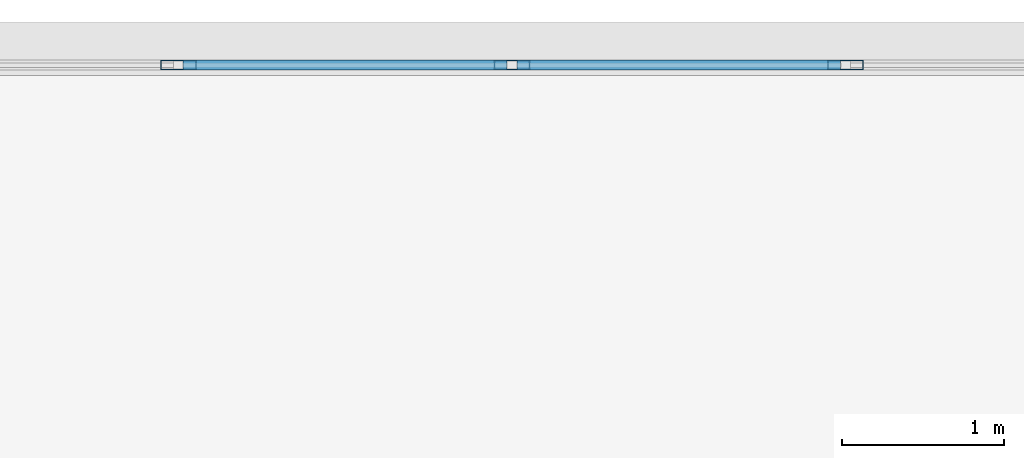
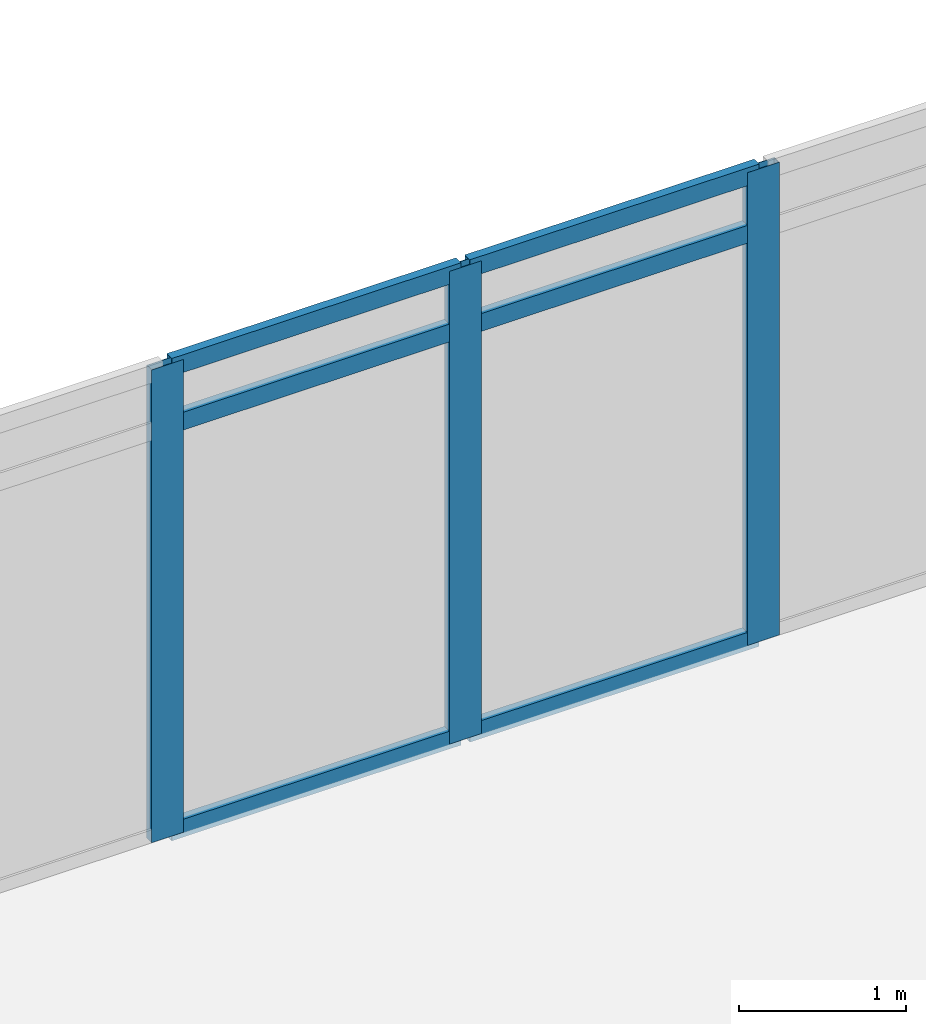
# One storey, part 15 of 28: 9 members, 1 element without a shape of its own.
"""IFC4 building model written with IfcOpenShell, lengths in metres."""

from ifc_helpers import new_model, si_unit, direction, frame, origin, origin_2d, place, context, subcontext, project, spatial, hollow_rectangle, extrude, material, material_profile, profile_set, type_object, element, aggregate, save


model = new_model("IFC4")

# Units and contexts
model_context = context("Model", 3, precision=1e-05, world=origin(), true_north=direction((0.0, 1.0)))
body_context = subcontext(model_context, "Body", "Model", "MODEL_VIEW")
ifc_project = project(units=[si_unit("LENGTHUNIT", "METRE"), si_unit("AREAUNIT", "SQUARE_METRE"), si_unit("VOLUMEUNIT", "CUBIC_METRE"), si_unit("PLANEANGLEUNIT", "RADIAN"), si_unit("MASSUNIT", "GRAM", prefix="KILO")], contexts=[model_context])

# Site, building, storey
site_placement = place(None, origin())
site = spatial("IfcSite", under=ifc_project, at=site_placement, CompositionType="ELEMENT")
building_placement = place(site_placement, origin())
building = spatial("IfcBuilding", under=site, at=building_placement, Name="Ostrander Bayou Hotel Tower", CompositionType="ELEMENT")
storey_placement = place(building_placement, frame((0.0, 0.0, 104.25)))
storey = spatial("IfcBuildingStorey", under=building, at=storey_placement, Name="L26", CompositionType="ELEMENT", Elevation=104.25)

# Curtain wall, members
ifc_material_1 = material(Name="Aluminium and clear glass", Category="aluminium")
curtain_wall_type = type_object("IfcCurtainWallType", Name="CW-BAR glazed wall", PredefinedType="NOTDEFINED", material=ifc_material_1)
curtain_wall_placement = place(storey_placement, origin())
curtain_wall = element("IfcCurtainWall", 1, at=curtain_wall_placement, inside=storey, type_object=curtain_wall_type, Name="CW-BAR L26:SB2N:T", PredefinedType="NOTDEFINED")
ifc_material_2 = material(Name="Aluminium", Category="aluminium")
ifc_material_profile_1 = material_profile(ifc_material_2, hollow_rectangle(XDim=0.06005859375, YDim=0.219970703125, WallThickness=0.00390625, at=origin_2d()))
ifc_profile_set_1 = profile_set([ifc_material_profile_1], Name="Aluminium")
member_type_1 = type_object("IfcMemberType", Name="CW-BR mullion 60 x 220 mm", PredefinedType="MULLION", material=ifc_profile_set_1)
member_1_placement = place(storey_placement, frame((-5.14111328125, 31.4453125, 0.0), z_axis=(0.0, 0.0, 1.0), x_axis=(0.0, 1.0, 0.0)))
member_1 = element("IfcMember", 2, at=member_1_placement, type_object=member_type_1, Name="CW-BAR mullion 5", PredefinedType="MULLION", context=body_context, shape_type="SweptSolid", body=[
    extrude(hollow_rectangle(XDim=0.06005859375, YDim=0.219970703125, WallThickness=0.00390625, at=origin_2d()), origin(), (0.0, 0.0, 1.0), 3.449951171875),
])
member_2_placement = place(storey_placement, frame((-3.084716796875, 31.4453125, 0.0), z_axis=(0.0, 0.0, 1.0), x_axis=(0.0, 1.0, 0.0)))
member_2 = element("IfcMember", 3, at=member_2_placement, type_object=member_type_1, Name="CW-BAR mullion 6", PredefinedType="MULLION", context=body_context, shape_type="SweptSolid", body=[
    extrude(hollow_rectangle(XDim=0.06005859375, YDim=0.219970703125, WallThickness=0.00390625, at=origin_2d()), origin(), (0.0, 0.0, 1.0), 3.449951171875),
])
member_3_placement = place(storey_placement, frame((-1.0283203125, 31.4453125, 0.0), z_axis=(0.0, 0.0, 1.0), x_axis=(0.0, 1.0, 0.0)))
member_3 = element("IfcMember", 4, at=member_3_placement, type_object=member_type_1, Name="CW-BAR mullion 7", PredefinedType="MULLION", context=body_context, shape_type="SweptSolid", body=[
    extrude(hollow_rectangle(XDim=0.06005859375, YDim=0.219970703125, WallThickness=0.00390625, at=origin_2d()), origin(), (0.0, 0.0, 1.0), 3.449951171875),
])
ifc_material_3 = material(Name="Aluminium", Category="aluminium")
ifc_material_profile_2 = material_profile(ifc_material_3, hollow_rectangle(XDim=0.06005859375, YDim=0.1298828125, WallThickness=0.00390625, at=origin_2d()))
ifc_profile_set_2 = profile_set([ifc_material_profile_2], Name="Aluminium")
member_type_2 = type_object("IfcMemberType", Name="CW-BR transom 60 x 130 mm", PredefinedType="USERDEFINED", material=ifc_profile_set_2)
member_4_placement = place(storey_placement, frame((-5.111328125, 31.4453125, 0.030029296875), z_axis=(1.0, 0.0, 0.0), x_axis=(0.0, 1.0, 0.0)))
member_4 = element("IfcMember", 5, at=member_4_placement, type_object=member_type_2, Name="CW-BAR transom 5.1", ObjectType="TRANSOM", PredefinedType="USERDEFINED", context=body_context, shape_type="SweptSolid", body=[
    extrude(hollow_rectangle(XDim=0.06005859375, YDim=0.1298828125, WallThickness=0.00390625, at=origin_2d()), origin(), (0.0, 0.0, 1.0), 1.99658203125),
])
member_5_placement = place(storey_placement, frame((-5.111328125, 31.4453125, 3.0), z_axis=(1.0, 0.0, 0.0), x_axis=(0.0, 1.0, 0.0)))
member_5 = element("IfcMember", 6, at=member_5_placement, type_object=member_type_2, Name="CW-BAR transom 5.2", ObjectType="TRANSOM", PredefinedType="USERDEFINED", context=body_context, shape_type="SweptSolid", body=[
    extrude(hollow_rectangle(XDim=0.06005859375, YDim=0.1298828125, WallThickness=0.00390625, at=origin_2d()), origin(), (0.0, 0.0, 1.0), 1.99658203125),
])
member_6_placement = place(storey_placement, frame((-5.111328125, 31.4453125, 3.419921875), z_axis=(1.0, 0.0, 0.0), x_axis=(0.0, 1.0, 0.0)))
member_6 = element("IfcMember", 7, at=member_6_placement, type_object=member_type_2, Name="CW-BAR transom 5.3", ObjectType="TRANSOM", PredefinedType="USERDEFINED", context=body_context, shape_type="SweptSolid", body=[
    extrude(hollow_rectangle(XDim=0.06005859375, YDim=0.1298828125, WallThickness=0.00390625, at=origin_2d()), origin(), (0.0, 0.0, 1.0), 1.99658203125),
])
member_7_placement = place(storey_placement, frame((-3.0546875, 31.4453125, 0.030029296875), z_axis=(1.0, 0.0, 0.0), x_axis=(0.0, 1.0, 0.0)))
member_7 = element("IfcMember", 8, at=member_7_placement, type_object=member_type_2, Name="CW-BAR transom 6.1", ObjectType="TRANSOM", PredefinedType="USERDEFINED", context=body_context, shape_type="SweptSolid", body=[
    extrude(hollow_rectangle(XDim=0.06005859375, YDim=0.1298828125, WallThickness=0.00390625, at=origin_2d()), origin(), (0.0, 0.0, 1.0), 1.996337890625),
])
member_8_placement = place(storey_placement, frame((-3.0546875, 31.4453125, 3.0), z_axis=(1.0, 0.0, 0.0), x_axis=(0.0, 1.0, 0.0)))
member_8 = element("IfcMember", 9, at=member_8_placement, type_object=member_type_2, Name="CW-BAR transom 6.2", ObjectType="TRANSOM", PredefinedType="USERDEFINED", context=body_context, shape_type="SweptSolid", body=[
    extrude(hollow_rectangle(XDim=0.06005859375, YDim=0.1298828125, WallThickness=0.00390625, at=origin_2d()), origin(), (0.0, 0.0, 1.0), 1.996337890625),
])
member_9_placement = place(storey_placement, frame((-3.0546875, 31.4453125, 3.419921875), z_axis=(1.0, 0.0, 0.0), x_axis=(0.0, 1.0, 0.0)))
member_9 = element("IfcMember", 10, at=member_9_placement, type_object=member_type_2, Name="CW-BAR transom 6.3", ObjectType="TRANSOM", PredefinedType="USERDEFINED", context=body_context, shape_type="SweptSolid", body=[
    extrude(hollow_rectangle(XDim=0.06005859375, YDim=0.1298828125, WallThickness=0.00390625, at=origin_2d()), origin(), (0.0, 0.0, 1.0), 1.996337890625),
])
aggregate(curtain_wall, [member_1, member_2, member_3, member_4, member_5, member_6, member_7, member_8, member_9])

save(model, "model.ifc")
